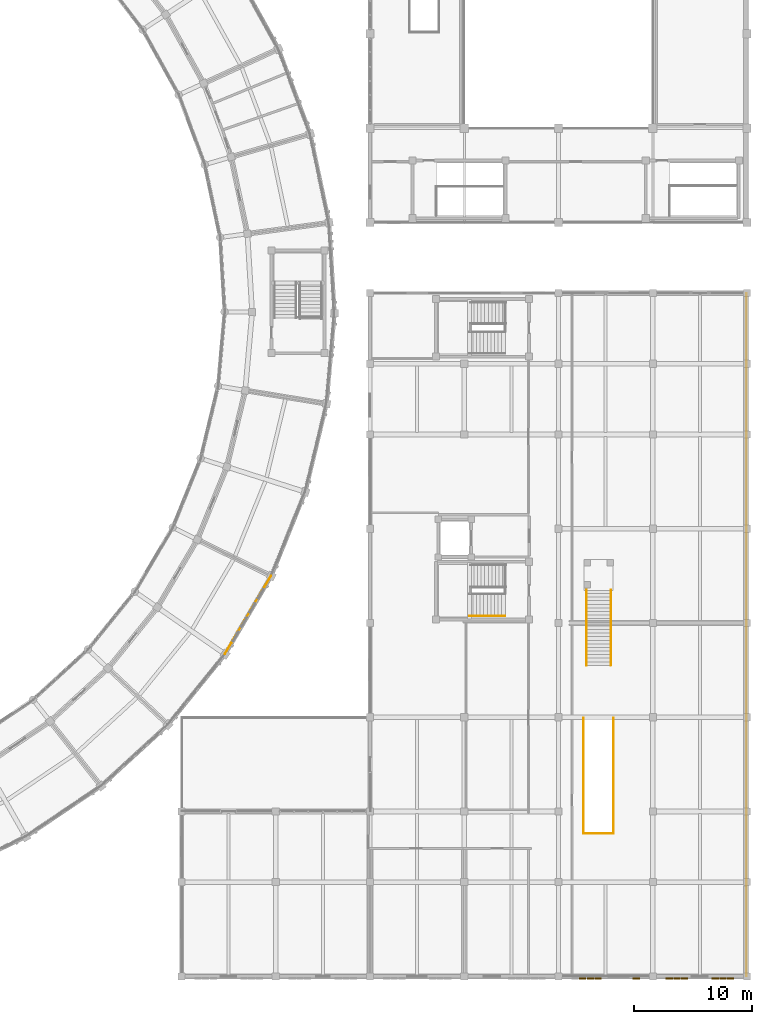
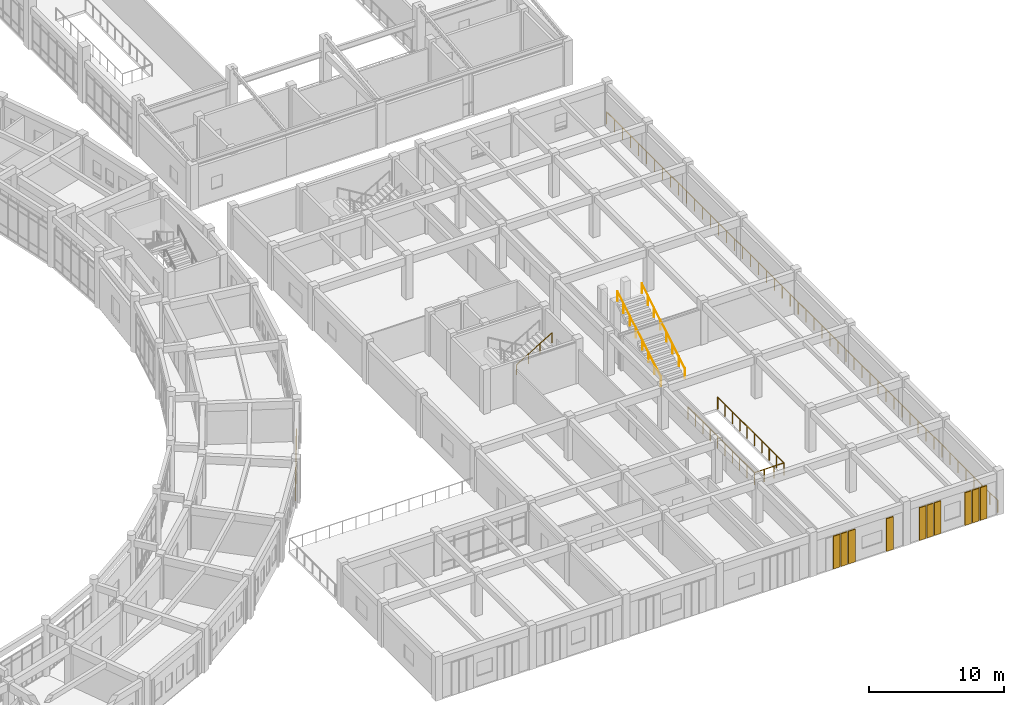
# One storey, part 154 of 159: 10 shading devices, 8 railings.
"""IFC4 building model written with IfcOpenShell, lengths in metres."""

from ifc_helpers import new_model, si_unit, direction, frame, origin, origin_2d, place, context, subcontext, project, spatial, rectangle, circle, extrude, material, type_object, element, save


model = new_model("IFC4")

# Units and contexts
model_context = context("Model", 3, precision=1e-05, world=origin(), true_north=direction((0.0, 1.0)))
body_context = subcontext(model_context, "Body", "Model", "MODEL_VIEW")
ifc_project = project(units=[si_unit("LENGTHUNIT", "METRE"), si_unit("AREAUNIT", "SQUARE_METRE"), si_unit("VOLUMEUNIT", "CUBIC_METRE"), si_unit("PLANEANGLEUNIT", "RADIAN"), si_unit("MASSUNIT", "GRAM", prefix="KILO")], contexts=[model_context])

# Site, building, storey
site_placement = place(None, origin())
site = spatial("IfcSite", under=ifc_project, at=site_placement, CompositionType="ELEMENT")
building_placement = place(site_placement, origin())
building = spatial("IfcBuilding", under=site, at=building_placement, Name="Celadon Cloister-Ring School", CompositionType="ELEMENT")
storey_placement = place(building_placement, frame((0.0, 0.0, 4.5)))
storey = spatial("IfcBuildingStorey", under=building, at=storey_placement, Name="L01", CompositionType="ELEMENT", Elevation=4.5)

# Railings
ifc_material_1 = material(Name="Structural steel S355JR", Category="steel")
railing_type_1 = type_object("IfcRailingType", Name="RL-BL1", PredefinedType="BALUSTRADE", material=ifc_material_1)
railing_1_placement = place(storey_placement, frame((129.678955078125, 29.364013671875, 0.0)))
element("IfcRailing", 1, at=railing_1_placement, inside=storey, type_object=railing_type_1, Name="Terrace Balustrade 0025", PredefinedType="BALUSTRADE", context=body_context, shape_type="SweptSolid", body=[
    extrude(circle(Radius=0.02392578125, at=origin_2d()), frame((0.0, 0.0, 1.09619140625), z_axis=(0.508006743226, 0.861353091848, 0.0), x_axis=(-0.861353091848, 0.508006743226, 0.0)), (0.0, 0.0, 1.0), 7.697021484375),
    extrude(circle(Radius=0.02099609375, at=origin_2d()), origin(), (0.0, 0.0, 1.0), 1.072021484375),
    extrude(circle(Radius=0.02099609375, at=origin_2d()), frame((0.55859375, 0.947021484375, 0.0)), (0.0, 0.0, 1.0), 1.072021484375),
    extrude(circle(Radius=0.02099609375, at=origin_2d()), frame((1.1171875, 1.894287109375, 0.0)), (0.0, 0.0, 1.0), 1.072021484375),
    extrude(circle(Radius=0.02099609375, at=origin_2d()), frame((1.67578125, 2.84130859375, 0.0)), (0.0, 0.0, 1.0), 1.072021484375),
    extrude(circle(Radius=0.02099609375, at=origin_2d()), frame((2.234375, 3.78857421875, 0.0)), (0.0, 0.0, 1.0), 1.072021484375),
    extrude(circle(Radius=0.02099609375, at=origin_2d()), frame((2.79296875, 4.735595703125, 0.0)), (0.0, 0.0, 1.0), 1.072021484375),
    extrude(circle(Radius=0.02099609375, at=origin_2d()), frame((3.3515625, 5.682861328125, 0.0)), (0.0, 0.0, 1.0), 1.072021484375),
    extrude(circle(Radius=0.02099609375, at=origin_2d()), frame((3.91015625, 6.6298828125, 0.0)), (0.0, 0.0, 1.0), 1.072021484375),
])
railing_2_placement = place(storey_placement, frame((173.9599609375, 2.0400390625, 0.0)))
element("IfcRailing", 2, at=railing_2_placement, inside=storey, type_object=railing_type_1, Name="Terrace Balustrade 0420", PredefinedType="BALUSTRADE", context=body_context, shape_type="SweptSolid", body=[
    extrude(circle(Radius=0.02392578125, at=origin_2d()), frame((0.0, 0.0, 1.09619140625), z_axis=(0.0, 1.0, 0.0), x_axis=(-1.0, 0.0, 0.0)), (0.0, 0.0, 1.0), 57.919921875),
    extrude(circle(Radius=0.02099609375, at=origin_2d()), origin(), (0.0, 0.0, 1.0), 1.072021484375),
    extrude(circle(Radius=0.02099609375, at=origin_2d()), frame((0.0, 1.18212890625, 0.0)), (0.0, 0.0, 1.0), 1.072021484375),
    extrude(circle(Radius=0.02099609375, at=origin_2d()), frame((0.0, 2.364013671875, 0.0)), (0.0, 0.0, 1.0), 1.072021484375),
    extrude(circle(Radius=0.02099609375, at=origin_2d()), frame((0.0, 3.546142578125, 0.0)), (0.0, 0.0, 1.0), 1.072021484375),
    extrude(circle(Radius=0.02099609375, at=origin_2d()), frame((0.0, 4.728271484375, 0.0)), (0.0, 0.0, 1.0), 1.072021484375),
    extrude(circle(Radius=0.02099609375, at=origin_2d()), frame((0.0, 5.91015625, 0.0)), (0.0, 0.0, 1.0), 1.072021484375),
    extrude(circle(Radius=0.02099609375, at=origin_2d()), frame((0.0, 7.09228515625, 0.0)), (0.0, 0.0, 1.0), 1.072021484375),
    extrude(circle(Radius=0.02099609375, at=origin_2d()), frame((0.0, 8.274169921875, 0.0)), (0.0, 0.0, 1.0), 1.072021484375),
    extrude(circle(Radius=0.02099609375, at=origin_2d()), frame((0.0, 9.456298828125, 0.0)), (0.0, 0.0, 1.0), 1.072021484375),
    extrude(circle(Radius=0.02099609375, at=origin_2d()), frame((0.0, 10.638427734375, 0.0)), (0.0, 0.0, 1.0), 1.072021484375),
    extrude(circle(Radius=0.02099609375, at=origin_2d()), frame((0.0, 11.8203125, 0.0)), (0.0, 0.0, 1.0), 1.072021484375),
    extrude(circle(Radius=0.02099609375, at=origin_2d()), frame((0.0, 13.00244140625, 0.0)), (0.0, 0.0, 1.0), 1.072021484375),
    extrude(circle(Radius=0.02099609375, at=origin_2d()), frame((0.0, 14.1845703125, 0.0)), (0.0, 0.0, 1.0), 1.072021484375),
    extrude(circle(Radius=0.02099609375, at=origin_2d()), frame((0.0, 15.366455078125, 0.0)), (0.0, 0.0, 1.0), 1.072021484375),
    extrude(circle(Radius=0.02099609375, at=origin_2d()), frame((0.0, 16.548583984375, 0.0)), (0.0, 0.0, 1.0), 1.072021484375),
    extrude(circle(Radius=0.02099609375, at=origin_2d()), frame((0.0, 17.73046875, 0.0)), (0.0, 0.0, 1.0), 1.072021484375),
    extrude(circle(Radius=0.02099609375, at=origin_2d()), frame((0.0, 18.91259765625, 0.0)), (0.0, 0.0, 1.0), 1.072021484375),
    extrude(circle(Radius=0.02099609375, at=origin_2d()), frame((0.0, 20.0947265625, 0.0)), (0.0, 0.0, 1.0), 1.072021484375),
    extrude(circle(Radius=0.02099609375, at=origin_2d()), frame((0.0, 21.276611328125, 0.0)), (0.0, 0.0, 1.0), 1.072021484375),
    extrude(circle(Radius=0.02099609375, at=origin_2d()), frame((0.0, 22.458740234375, 0.0)), (0.0, 0.0, 1.0), 1.072021484375),
    extrude(circle(Radius=0.02099609375, at=origin_2d()), frame((0.0, 23.640869140625, 0.0)), (0.0, 0.0, 1.0), 1.072021484375),
    extrude(circle(Radius=0.02099609375, at=origin_2d()), frame((0.0, 24.82275390625, 0.0)), (0.0, 0.0, 1.0), 1.072021484375),
    extrude(circle(Radius=0.02099609375, at=origin_2d()), frame((0.0, 26.0048828125, 0.0)), (0.0, 0.0, 1.0), 1.072021484375),
    extrude(circle(Radius=0.02099609375, at=origin_2d()), frame((0.0, 27.18701171875, 0.0)), (0.0, 0.0, 1.0), 1.072021484375),
    extrude(circle(Radius=0.02099609375, at=origin_2d()), frame((0.0, 28.368896484375, 0.0)), (0.0, 0.0, 1.0), 1.072021484375),
    extrude(circle(Radius=0.02099609375, at=origin_2d()), frame((0.0, 29.551025390625, 0.0)), (0.0, 0.0, 1.0), 1.072021484375),
    extrude(circle(Radius=0.02099609375, at=origin_2d()), frame((0.0, 30.73291015625, 0.0)), (0.0, 0.0, 1.0), 1.072021484375),
    extrude(circle(Radius=0.02099609375, at=origin_2d()), frame((0.0, 31.9150390625, 0.0)), (0.0, 0.0, 1.0), 1.072021484375),
    extrude(circle(Radius=0.02099609375, at=origin_2d()), frame((0.0, 33.09716796875, 0.0)), (0.0, 0.0, 1.0), 1.072021484375),
    extrude(circle(Radius=0.02099609375, at=origin_2d()), frame((0.0, 34.279052734375, 0.0)), (0.0, 0.0, 1.0), 1.072021484375),
    extrude(circle(Radius=0.02099609375, at=origin_2d()), frame((0.0, 35.461181640625, 0.0)), (0.0, 0.0, 1.0), 1.072021484375),
    extrude(circle(Radius=0.02099609375, at=origin_2d()), frame((0.0, 36.643310546875, 0.0)), (0.0, 0.0, 1.0), 1.072021484375),
    extrude(circle(Radius=0.02099609375, at=origin_2d()), frame((0.0, 37.8251953125, 0.0)), (0.0, 0.0, 1.0), 1.072021484375),
    extrude(circle(Radius=0.02099609375, at=origin_2d()), frame((0.0, 39.00732421875, 0.0)), (0.0, 0.0, 1.0), 1.072021484375),
    extrude(circle(Radius=0.02099609375, at=origin_2d()), frame((0.0, 40.189453125, 0.0)), (0.0, 0.0, 1.0), 1.072021484375),
    extrude(circle(Radius=0.02099609375, at=origin_2d()), frame((0.0, 41.371337890625, 0.0)), (0.0, 0.0, 1.0), 1.072021484375),
    extrude(circle(Radius=0.02099609375, at=origin_2d()), frame((0.0, 42.553466796875, 0.0)), (0.0, 0.0, 1.0), 1.072021484375),
    extrude(circle(Radius=0.02099609375, at=origin_2d()), frame((0.0, 43.7353515625, 0.0)), (0.0, 0.0, 1.0), 1.072021484375),
    extrude(circle(Radius=0.02099609375, at=origin_2d()), frame((0.0, 44.91748046875, 0.0)), (0.0, 0.0, 1.0), 1.072021484375),
    extrude(circle(Radius=0.02099609375, at=origin_2d()), frame((0.0, 46.099609375, 0.0)), (0.0, 0.0, 1.0), 1.072021484375),
    extrude(circle(Radius=0.02099609375, at=origin_2d()), frame((0.0, 47.281494140625, 0.0)), (0.0, 0.0, 1.0), 1.072021484375),
    extrude(circle(Radius=0.02099609375, at=origin_2d()), frame((0.0, 48.463623046875, 0.0)), (0.0, 0.0, 1.0), 1.072021484375),
    extrude(circle(Radius=0.02099609375, at=origin_2d()), frame((0.0, 49.645751953125, 0.0)), (0.0, 0.0, 1.0), 1.072021484375),
    extrude(circle(Radius=0.02099609375, at=origin_2d()), frame((0.0, 50.82763671875, 0.0)), (0.0, 0.0, 1.0), 1.072021484375),
    extrude(circle(Radius=0.02099609375, at=origin_2d()), frame((0.0, 52.009765625, 0.0)), (0.0, 0.0, 1.0), 1.072021484375),
    extrude(circle(Radius=0.02099609375, at=origin_2d()), frame((0.0, 53.191650390625, 0.0)), (0.0, 0.0, 1.0), 1.072021484375),
    extrude(circle(Radius=0.02099609375, at=origin_2d()), frame((0.0, 54.373779296875, 0.0)), (0.0, 0.0, 1.0), 1.072021484375),
    extrude(circle(Radius=0.02099609375, at=origin_2d()), frame((0.0, 55.555908203125, 0.0)), (0.0, 0.0, 1.0), 1.072021484375),
    extrude(circle(Radius=0.02099609375, at=origin_2d()), frame((0.0, 56.73779296875, 0.0)), (0.0, 0.0, 1.0), 1.072021484375),
    extrude(circle(Radius=0.02099609375, at=origin_2d()), frame((0.0, 57.919921875, 0.0)), (0.0, 0.0, 1.0), 1.072021484375),
])
ifc_material_2 = material(Name="Structural steel S355JR", Category="steel")
railing_type_2 = type_object("IfcRailingType", Name="RL-BL2", PredefinedType="BALUSTRADE", material=ifc_material_2)
railing_3_placement = place(storey_placement, frame((160.135009765625, 23.949951171875, 0.0)))
element("IfcRailing", 3, at=railing_3_placement, inside=storey, type_object=railing_type_2, Name="Interior Guard 0289", PredefinedType="BALUSTRADE", context=body_context, shape_type="SweptSolid", body=[
    extrude(circle(Radius=0.02392578125, at=origin_2d()), frame((0.0, 0.0, 1.09619140625), z_axis=(0.0, -1.0, 0.0), x_axis=(1.0, 0.0, 0.0)), (0.0, 0.0, 1.0), 9.81494140625),
    extrude(circle(Radius=0.02099609375, at=origin_2d()), origin(), (0.0, 0.0, 1.0), 1.072021484375),
    extrude(circle(Radius=0.02099609375, at=origin_2d()), frame((0.0, -1.090576171875, 0.0)), (0.0, 0.0, 1.0), 1.072021484375),
    extrude(circle(Radius=0.02099609375, at=origin_2d()), frame((0.0, -2.18115234375, 0.0)), (0.0, 0.0, 1.0), 1.072021484375),
    extrude(circle(Radius=0.02099609375, at=origin_2d()), frame((0.0, -3.271728515625, 0.0)), (0.0, 0.0, 1.0), 1.072021484375),
    extrude(circle(Radius=0.02099609375, at=origin_2d()), frame((0.0, -4.3623046875, 0.0)), (0.0, 0.0, 1.0), 1.072021484375),
    extrude(circle(Radius=0.02099609375, at=origin_2d()), frame((0.0, -5.45263671875, 0.0)), (0.0, 0.0, 1.0), 1.072021484375),
    extrude(circle(Radius=0.02099609375, at=origin_2d()), frame((0.0, -6.543212890625, 0.0)), (0.0, 0.0, 1.0), 1.072021484375),
    extrude(circle(Radius=0.02099609375, at=origin_2d()), frame((0.0, -7.6337890625, 0.0)), (0.0, 0.0, 1.0), 1.072021484375),
    extrude(circle(Radius=0.02099609375, at=origin_2d()), frame((0.0, -8.724365234375, 0.0)), (0.0, 0.0, 1.0), 1.072021484375),
    extrude(circle(Radius=0.02099609375, at=origin_2d()), frame((0.0, -9.81494140625, 0.0)), (0.0, 0.0, 1.0), 1.072021484375),
])
railing_4_placement = place(storey_placement, frame((160.135009765625, 14.135009765625, 0.0)))
element("IfcRailing", 4, at=railing_4_placement, inside=storey, type_object=railing_type_2, Name="Interior Guard 0290", PredefinedType="BALUSTRADE", context=body_context, shape_type="SweptSolid", body=[
    extrude(circle(Radius=0.02392578125, at=origin_2d()), frame((0.0, 0.0, 1.09619140625), z_axis=(1.0, 0.0, 0.0), x_axis=(0.0, 1.0, 0.0)), (0.0, 0.0, 1.0), 2.530029296875),
    extrude(circle(Radius=0.02099609375, at=origin_2d()), origin(), (0.0, 0.0, 1.0), 1.072021484375),
    extrude(circle(Radius=0.02099609375, at=origin_2d()), frame((0.84326171875, 0.0, 0.0)), (0.0, 0.0, 1.0), 1.072021484375),
    extrude(circle(Radius=0.02099609375, at=origin_2d()), frame((1.686767578125, 0.0, 0.0)), (0.0, 0.0, 1.0), 1.072021484375),
    extrude(circle(Radius=0.02099609375, at=origin_2d()), frame((2.530029296875, 0.0, 0.0)), (0.0, 0.0, 1.0), 1.072021484375),
])
railing_5_placement = place(storey_placement, frame((162.6650390625, 14.135009765625, 0.0)))
element("IfcRailing", 5, at=railing_5_placement, inside=storey, type_object=railing_type_2, Name="Interior Guard 0291", PredefinedType="BALUSTRADE", context=body_context, shape_type="SweptSolid", body=[
    extrude(circle(Radius=0.02392578125, at=origin_2d()), frame((0.0, 0.0, 1.09619140625), z_axis=(0.0, 1.0, 0.0), x_axis=(-1.0, 0.0, 0.0)), (0.0, 0.0, 1.0), 9.81494140625),
    extrude(circle(Radius=0.02099609375, at=origin_2d()), origin(), (0.0, 0.0, 1.0), 1.072021484375),
    extrude(circle(Radius=0.02099609375, at=origin_2d()), frame((0.0, 1.090576171875, 0.0)), (0.0, 0.0, 1.0), 1.072021484375),
    extrude(circle(Radius=0.02099609375, at=origin_2d()), frame((0.0, 2.18115234375, 0.0)), (0.0, 0.0, 1.0), 1.072021484375),
    extrude(circle(Radius=0.02099609375, at=origin_2d()), frame((0.0, 3.271728515625, 0.0)), (0.0, 0.0, 1.0), 1.072021484375),
    extrude(circle(Radius=0.02099609375, at=origin_2d()), frame((0.0, 4.3623046875, 0.0)), (0.0, 0.0, 1.0), 1.072021484375),
    extrude(circle(Radius=0.02099609375, at=origin_2d()), frame((0.0, 5.45263671875, 0.0)), (0.0, 0.0, 1.0), 1.072021484375),
    extrude(circle(Radius=0.02099609375, at=origin_2d()), frame((0.0, 6.543212890625, 0.0)), (0.0, 0.0, 1.0), 1.072021484375),
    extrude(circle(Radius=0.02099609375, at=origin_2d()), frame((0.0, 7.6337890625, 0.0)), (0.0, 0.0, 1.0), 1.072021484375),
    extrude(circle(Radius=0.02099609375, at=origin_2d()), frame((0.0, 8.724365234375, 0.0)), (0.0, 0.0, 1.0), 1.072021484375),
    extrude(circle(Radius=0.02099609375, at=origin_2d()), frame((0.0, 9.81494140625, 0.0)), (0.0, 0.0, 1.0), 1.072021484375),
])
ifc_material_3 = material(Name="Structural steel S355JR", Category="steel")
railing_type_3 = type_object("IfcRailingType", Name="RL-HR1", PredefinedType="HANDRAIL", material=ifc_material_3)
railing_6_placement = place(storey_placement, frame((150.429931640625, 32.5849609375, 2.181884765625)))
element("IfcRailing", 6, at=railing_6_placement, inside=storey, type_object=railing_type_3, Name="Stair Handrail 0176", PredefinedType="HANDRAIL", context=body_context, shape_type="SweptSolid", body=[
    extrude(circle(Radius=0.02099609375, at=origin_2d()), frame((0.0, 0.0, 0.87890625), z_axis=(0.858969654429, 0.0, 0.51202649616), x_axis=(0.0, 1.0, 0.0)), (0.0, 0.0, 1.0), 3.55078125),
    extrude(circle(Radius=0.01806640625, at=origin_2d()), origin(), (0.0, 0.0, 1.0), 0.85791015625),
    extrude(circle(Radius=0.01806640625, at=origin_2d()), frame((1.0166015625, 0.0, 0.60595703125)), (0.0, 0.0, 1.0), 0.85791015625),
    extrude(circle(Radius=0.01806640625, at=origin_2d()), frame((2.033447265625, 0.0, 1.212158203125)), (0.0, 0.0, 1.0), 0.85791015625),
    extrude(circle(Radius=0.01806640625, at=origin_2d()), frame((3.050048828125, 0.0, 1.818115234375)), (0.0, 0.0, 1.0), 0.85791015625),
])
for number, where, name in (
    (7, (162.43505859375, 28.39990234375, 0.181884765625), "Stair Handrail 0297"),
    (8, (160.364990234375, 28.39990234375, 0.181884765625), "Stair Handrail 0298"),
):
    element("IfcRailing", number, at=place(storey_placement, frame(where)), inside=storey, type_object=railing_type_3, Name=name, PredefinedType="HANDRAIL", context=body_context, shape_type="SweptSolid", body=[
        extrude(circle(Radius=0.02099609375, at=origin_2d()), frame((0.0, 0.0, 0.87890625), z_axis=(0.0, 0.858962759209, 0.512038063323), x_axis=(-1.0, 0.0, 0.0)), (0.0, 0.0, 1.0), 7.456787109375),
        extrude(circle(Radius=0.01806640625, at=origin_2d()), origin(), (0.0, 0.0, 1.0), 0.85791015625),
        extrude(circle(Radius=0.01806640625, at=origin_2d()), frame((0.0, 0.9150390625, 0.54541015625)), (0.0, 0.0, 1.0), 0.85791015625),
        extrude(circle(Radius=0.01806640625, at=origin_2d()), frame((0.0, 1.830078125, 1.0908203125)), (0.0, 0.0, 1.0), 0.85791015625),
        extrude(circle(Radius=0.01806640625, at=origin_2d()), frame((0.0, 2.7451171875, 1.63623046875)), (0.0, 0.0, 1.0), 0.85791015625),
        extrude(circle(Radius=0.01806640625, at=origin_2d()), frame((0.0, 3.659912109375, 2.181884765625)), (0.0, 0.0, 1.0), 0.85791015625),
        extrude(circle(Radius=0.01806640625, at=origin_2d()), frame((0.0, 4.574951171875, 2.727294921875)), (0.0, 0.0, 1.0), 0.85791015625),
        extrude(circle(Radius=0.01806640625, at=origin_2d()), frame((0.0, 5.489990234375, 3.272705078125)), (0.0, 0.0, 1.0), 0.85791015625),
        extrude(circle(Radius=0.01806640625, at=origin_2d()), frame((0.0, 6.405029296875, 3.818115234375)), (0.0, 0.0, 1.0), 0.85791015625),
    ])

# Shading devices
ifc_material_4 = material(Name="Glazed celadon architectural terracotta", Category="masonry")
shading_device_type = type_object("IfcShadingDeviceType", Name="SD-01", PredefinedType="USERDEFINED", material=ifc_material_4)
for number, where, z_axis, x_axis, name in (
    (9, (172.60009765625, 1.827880859375, 0.0), (0.0, 0.0, 1.0), (-1.0, 0.0, 0.0), "Celadon Sunshade Screen 0028"),
    (10, (171.949951171875, 1.827880859375, 0.0), (0.0, 0.0, 1.0), (-1.0, 0.0, 0.0), "Celadon Sunshade Screen 0029"),
    (11, (171.300048828125, 1.827880859375, 0.0), (0.0, 0.0, 1.0), (-1.0, 0.0, 0.0), "Celadon Sunshade Screen 0030"),
    (12, (168.699951171875, 1.827880859375, 0.0), (0.0, 0.0, 1.0), (-1.0, 0.0, 0.0), "Celadon Sunshade Screen 0031"),
    (13, (168.050048828125, 1.827880859375, 0.0), (0.0, 0.0, 1.0), (-1.0, 0.0, 0.0), "Celadon Sunshade Screen 0032"),
    (14, (167.39990234375, 1.827880859375, 0.0), (0.0, 0.0, 1.0), (-1.0, 0.0, 0.0), "Celadon Sunshade Screen 0033"),
    (15, (164.60009765625, 1.827880859375, 0.0), (0.0, 0.0, 1.0), (-1.0, 0.0, 0.0), "Celadon Sunshade Screen 0034"),
    (16, (161.35009765625, 1.827880859375, 0.0), (0.0, 0.0, 1.0), (-1.0, 0.0, 0.0), "Celadon Sunshade Screen 0035"),
    (17, (160.699951171875, 1.827880859375, 0.0), (0.0, 0.0, 1.0), (-1.0, 0.0, 0.0), "Celadon Sunshade Screen 0036"),
    (18, (160.050048828125, 1.827880859375, 0.0), (0.0, 0.0, 1.0), (-1.0, 0.0, 0.0), "Celadon Sunshade Screen 0037"),
):
    element("IfcShadingDevice", number, at=place(storey_placement, frame(where, z_axis=z_axis, x_axis=x_axis)), inside=storey, type_object=shading_device_type, Name=name, ObjectType="SUNSHADE", PredefinedType="USERDEFINED", context=body_context, shape_type="SweptSolid", body=[
        extrude(rectangle(XDim=0.56005859375, YDim=0.090087890625, at=origin_2d()), origin(), (0.0, 0.0, 1.0), 2.949951171875),
    ])

save(model, "model.ifc")
